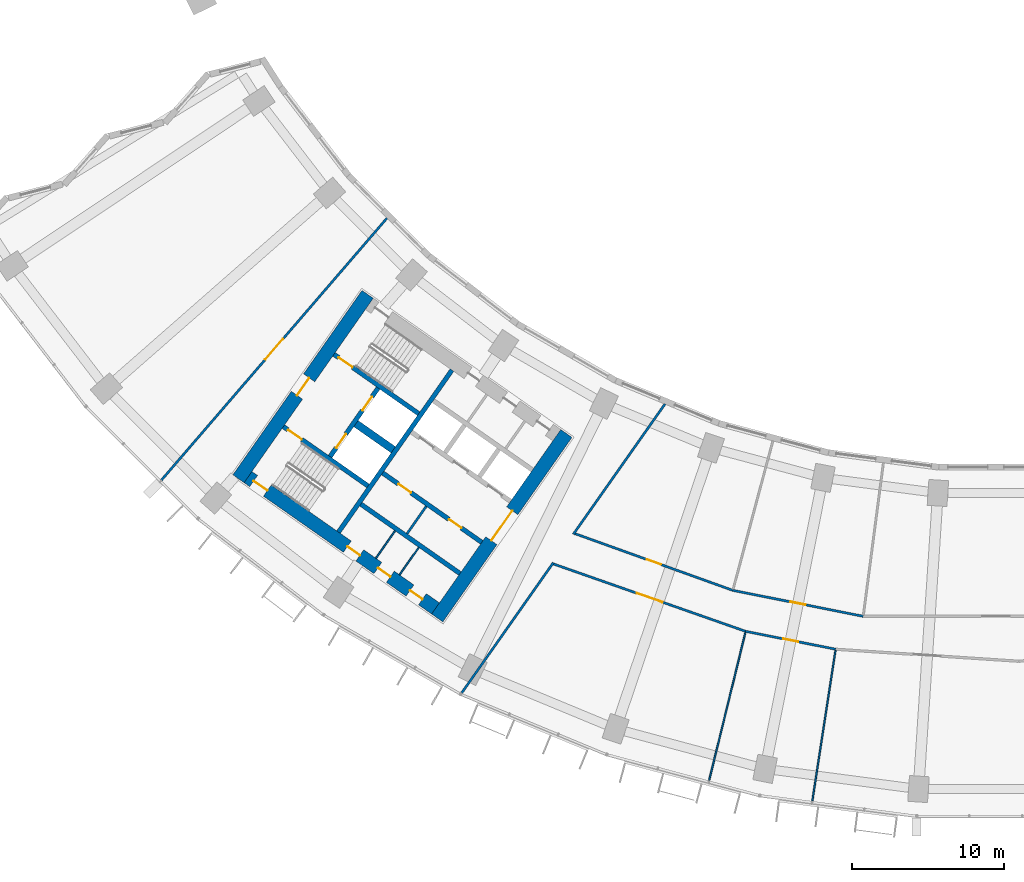
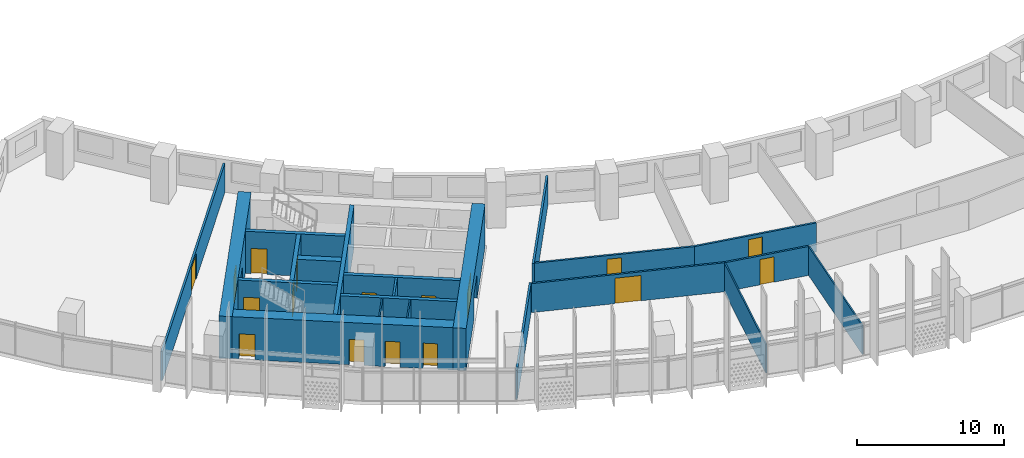
# One storey, part 3 of 32: 22 walls, 17 doors, 17 openings.
"""IFC4 building model written with IfcOpenShell, lengths in metres."""

from ifc_helpers import new_model, si_unit, direction, frame, frame_2d, origin, place, context, subcontext, project, spatial, rectangle, extrude, material, layer, layer_set, type_object, element, fill, save


model = new_model("IFC4")

# Units and contexts
model_context = context("Model", 3, precision=1e-05, world=origin(), true_north=direction((0.0, 1.0)))
body_context = subcontext(model_context, "Body", "Model", "MODEL_VIEW")
ifc_project = project(units=[si_unit("LENGTHUNIT", "METRE"), si_unit("AREAUNIT", "SQUARE_METRE"), si_unit("VOLUMEUNIT", "CUBIC_METRE"), si_unit("PLANEANGLEUNIT", "RADIAN"), si_unit("MASSUNIT", "GRAM", prefix="KILO")], contexts=[model_context])

# Site, building, storey
site_placement = place(None, origin())
site = spatial("IfcSite", under=ifc_project, at=site_placement, CompositionType="ELEMENT")
building_placement = place(site_placement, origin())
building = spatial("IfcBuilding", under=site, at=building_placement, Name="Qamariyya Broadcast Tower", CompositionType="ELEMENT")
storey_placement = place(building_placement, frame((0.0, 0.0, 70.89990234375)))
storey = spatial("IfcBuildingStorey", under=building, at=storey_placement, Name="L14", CompositionType="ELEMENT", Elevation=70.89990234375)

# Wall, opening, door
ifc_material_1 = material(Name="Concrete C70/85", Category="concrete")
ifc_layer_1 = layer(ifc_material_1, 0.89990234375)
ifc_layer_set_1 = layer_set([ifc_layer_1], Name="Core wall 900 mm Concrete C70/85")
wall_type_1 = type_object("IfcWallType", Name="Core wall 900 mm Concrete C70/85", PredefinedType="SHEAR", material=ifc_layer_set_1)
wall_1_placement = place(storey_placement, frame((-36.716796875, -66.3369140625, 0.0), z_axis=(0.0, 0.0, 1.0), x_axis=(0.573577477574, 0.819151315216, 0.0)))
wall_1 = element("IfcWall", 1, at=wall_1_placement, inside=storey, type_object=wall_type_1, Name="k-W-L14-WA", PredefinedType="SHEAR", context=body_context, shape_type="SweptSolid", body=[
    extrude(rectangle(XDim=14.800048828125, YDim=0.89990234375, at=frame_2d((7.39990234375, 0.0))), origin(), (0.0, 0.0, 1.0), 3.5),
])
opening_1_placement = place(wall_1_placement, frame((6.199951171875, 0.0, 0.0)))
opening_1 = element("IfcOpeningElement", 2, at=opening_1_placement, cuts=wall_1, Name="Opening KD3-W1", PredefinedType="OPENING", context=body_context, shape_type="SweptSolid", body=[
    extrude(rectangle(XDim=2.39990234375, YDim=2.10009765625, at=frame_2d((1.199951171875, 1.050048828125))), frame((0.0, 0.4599609375, 0.0), z_axis=(0.0, -1.0, 0.0), x_axis=(1.0, 0.0, 0.0)), (0.0, 0.0, 1.0), 0.919921875),
])
ifc_material_2 = material(Name="Steel fire-resisting door leaf", Category="steel")
door_type_1 = type_object("IfcDoorType", Name="Lift lobby door KD3", OperationType="DOUBLE_DOOR_SINGLE_SWING", PredefinedType="DOOR", material=ifc_material_2)
door_1_placement = place(opening_1_placement, origin())
door_1 = element("IfcDoor", 3, at=door_1_placement, inside=storey, type_object=door_type_1, Name="k-W-L14-WA-D1", OperationType="DOUBLE_DOOR_SINGLE_SWING", OverallHeight=2.10009765625, OverallWidth=2.39990234375, PredefinedType="DOOR", context=body_context, shape_type="SweptSolid", body=[
    extrude(rectangle(XDim=2.39990234375, YDim=2.10009765625, at=frame_2d((1.199951171875, 1.050048828125))), frame((0.0, 0.02490234375, 0.0), z_axis=(0.0, -1.0, 0.0), x_axis=(1.0, 0.0, 0.0)), (0.0, 0.0, 1.0), 0.050048828125),
])
fill(opening_1, door_1)

wall_2_placement = place(storey_placement, frame((-49.778564453125, -57.191162109375, 0.0), z_axis=(0.0, 0.0, 1.0), x_axis=(0.573577477574, 0.819151315216, 0.0)))
wall_2 = element("IfcWall", 4, at=wall_2_placement, inside=storey, type_object=wall_type_1, Name="k-W-L14-WH", PredefinedType="SHEAR", context=body_context, shape_type="SweptSolid", body=[
    extrude(rectangle(XDim=14.800048828125, YDim=0.89990234375, at=frame_2d((7.39990234375, 0.0))), origin(), (0.0, 0.0, 1.0), 3.5),
])
opening_2_placement = place(wall_2_placement, frame((6.699951171875, 0.0, 0.0)))
opening_2 = element("IfcOpeningElement", 5, at=opening_2_placement, cuts=wall_2, Name="Opening KD2-W1", PredefinedType="OPENING", context=body_context, shape_type="SweptSolid", body=[
    extrude(rectangle(XDim=1.39990234375, YDim=2.10009765625, at=frame_2d((0.699951171875, 1.050048828125))), frame((0.0, 0.4599609375, 0.0), z_axis=(0.0, -1.0, 0.0), x_axis=(1.0, 0.0, 0.0)), (0.0, 0.0, 1.0), 0.919921875),
])
door_type_2 = type_object("IfcDoorType", Name="Fire-fighting lobby door KD2", OperationType="DOUBLE_DOOR_SINGLE_SWING", PredefinedType="DOOR", material=ifc_material_2)
door_2_placement = place(opening_2_placement, origin())
door_2 = element("IfcDoor", 6, at=door_2_placement, inside=storey, type_object=door_type_2, Name="k-W-L14-WH-D15", OperationType="DOUBLE_DOOR_SINGLE_SWING", OverallHeight=2.10009765625, OverallWidth=1.39990234375, PredefinedType="DOOR", context=body_context, shape_type="SweptSolid", body=[
    extrude(rectangle(XDim=1.39990234375, YDim=2.10009765625, at=frame_2d((0.699951171875, 1.050048828125))), frame((0.0, 0.02490234375, 0.0), z_axis=(0.0, -1.0, 0.0), x_axis=(1.0, 0.0, 0.0)), (0.0, 0.0, 1.0), 0.050048828125),
])
fill(opening_2, door_2)

# Wall, openings, doors
wall_3_placement = place(storey_placement, frame((-36.827392578125, -65.710205078125, 0.0), z_axis=(0.0, 0.0, 1.0), x_axis=(-0.819153391756, 0.573574511963, 0.0)))
wall_3 = element("IfcWall", 7, at=wall_3_placement, inside=storey, type_object=wall_type_1, Name="k-W-L14-WO", PredefinedType="SHEAR", context=body_context, shape_type="SweptSolid", body=[
    extrude(rectangle(XDim=15.04541015625, YDim=0.89990234375, at=frame_2d((7.522705078125, 0.0))), origin(), (0.0, 0.0, 1.0), 3.5),
])
opening_3_placement = place(wall_3_placement, frame((1.050048828125, 0.0, 0.0)))
opening_3 = element("IfcOpeningElement", 8, at=opening_3_placement, cuts=wall_3, Name="Opening KD4-W2", PredefinedType="OPENING", context=body_context, shape_type="SweptSolid", body=[
    extrude(rectangle(XDim=1.0, YDim=2.10009765625, at=frame_2d((0.5, 1.050048828125))), frame((0.0, 0.4599609375, 0.0), z_axis=(0.0, -1.0, 0.0), x_axis=(1.0, 0.0, 0.0)), (0.0, 0.0, 1.0), 0.919921875),
])
opening_4_placement = place(wall_3_placement, frame((3.625, 0.0, 0.0)))
opening_4 = element("IfcOpeningElement", 9, at=opening_4_placement, cuts=wall_3, Name="Opening KD4-W3", PredefinedType="OPENING", context=body_context, shape_type="SweptSolid", body=[
    extrude(rectangle(XDim=1.0, YDim=2.10009765625, at=frame_2d((0.5, 1.050048828125))), frame((0.0, 0.4599609375, 0.0), z_axis=(0.0, -1.0, 0.0), x_axis=(1.0, 0.0, 0.0)), (0.0, 0.0, 1.0), 0.919921875),
])
opening_5_placement = place(wall_3_placement, frame((6.074951171875, 0.0, 0.0)))
opening_5 = element("IfcOpeningElement", 10, at=opening_5_placement, cuts=wall_3, Name="Opening KD6-W3", PredefinedType="OPENING", context=body_context, shape_type="SweptSolid", body=[
    extrude(rectangle(XDim=1.0, YDim=2.10009765625, at=frame_2d((0.5, 1.050048828125))), frame((0.0, 0.4599609375, 0.0), z_axis=(0.0, -1.0, 0.0), x_axis=(1.0, 0.0, 0.0)), (0.0, 0.0, 1.0), 0.919921875),
])
opening_6_placement = place(wall_3_placement, frame((13.495361328125, 0.0, 0.0)))
opening_6 = element("IfcOpeningElement", 11, at=opening_6_placement, cuts=wall_3, Name="Opening KD1-W3", PredefinedType="OPENING", context=body_context, shape_type="SweptSolid", body=[
    extrude(rectangle(XDim=1.10009765625, YDim=2.10009765625, at=frame_2d((0.550048828125, 1.050048828125))), frame((0.0, 0.4599609375, 0.0), z_axis=(0.0, -1.0, 0.0), x_axis=(1.0, 0.0, 0.0)), (0.0, 0.0, 1.0), 0.919921875),
])
door_type_3 = type_object("IfcDoorType", Name="Core room door KD6", OperationType="SINGLE_SWING_LEFT", PredefinedType="DOOR", material=ifc_material_2)
door_3_placement = place(opening_5_placement, origin())
door_3 = element("IfcDoor", 12, at=door_3_placement, inside=storey, type_object=door_type_3, Name="k-W-L14-WO-D12", OperationType="SINGLE_SWING_LEFT", OverallHeight=2.10009765625, OverallWidth=1.0, PredefinedType="DOOR", context=body_context, shape_type="SweptSolid", body=[
    extrude(rectangle(XDim=1.0, YDim=2.10009765625, at=frame_2d((0.5, 1.050048828125))), frame((0.0, 0.02490234375, 0.0), z_axis=(0.0, -1.0, 0.0), x_axis=(1.0, 0.0, 0.0)), (0.0, 0.0, 1.0), 0.050048828125),
])
fill(opening_5, door_3)
door_type_4 = type_object("IfcDoorType", Name="Riser and plant door KD4", OperationType="SINGLE_SWING_LEFT", PredefinedType="DOOR", material=ifc_material_2)
door_4_placement = place(opening_3_placement, origin())
door_4 = element("IfcDoor", 13, at=door_4_placement, inside=storey, type_object=door_type_4, Name="k-W-L14-WO-D10", OperationType="SINGLE_SWING_LEFT", OverallHeight=2.10009765625, OverallWidth=1.0, PredefinedType="DOOR", context=body_context, shape_type="SweptSolid", body=[
    extrude(rectangle(XDim=1.0, YDim=2.10009765625, at=frame_2d((0.5, 1.050048828125))), frame((0.0, 0.02490234375, 0.0), z_axis=(0.0, -1.0, 0.0), x_axis=(1.0, 0.0, 0.0)), (0.0, 0.0, 1.0), 0.050048828125),
])
fill(opening_3, door_4)
door_5_placement = place(opening_4_placement, origin())
door_5 = element("IfcDoor", 14, at=door_5_placement, inside=storey, type_object=door_type_4, Name="k-W-L14-WO-D11", OperationType="SINGLE_SWING_RIGHT", OverallHeight=2.10009765625, OverallWidth=1.0, PredefinedType="DOOR", context=body_context, shape_type="SweptSolid", body=[
    extrude(rectangle(XDim=1.0, YDim=2.10009765625, at=frame_2d((0.5, 1.050048828125))), frame((0.0, 0.02490234375, 0.0), z_axis=(0.0, -1.0, 0.0), x_axis=(1.0, 0.0, 0.0)), (0.0, 0.0, 1.0), 0.050048828125),
])
fill(opening_4, door_5)
door_type_5 = type_object("IfcDoorType", Name="Stair door KD1", OperationType="SINGLE_SWING_LEFT", PredefinedType="DOOR", material=ifc_material_2)
door_6_placement = place(opening_6_placement, origin())
door_6 = element("IfcDoor", 15, at=door_6_placement, inside=storey, type_object=door_type_5, Name="k-W-L14-WO-D18", OperationType="SINGLE_SWING_LEFT", OverallHeight=2.10009765625, OverallWidth=1.10009765625, PredefinedType="DOOR", context=body_context, shape_type="SweptSolid", body=[
    extrude(rectangle(XDim=1.10009765625, YDim=2.10009765625, at=frame_2d((0.550048828125, 1.050048828125))), frame((0.0, 0.02490234375, 0.0), z_axis=(0.0, -1.0, 0.0), x_axis=(1.0, 0.0, 0.0)), (0.0, 0.0, 1.0), 0.050048828125),
])
fill(opening_6, door_6)

# Wall, opening, door
ifc_material_3 = material(Name="Gypsum board partition")
ifc_layer_2 = layer(ifc_material_3, 0.14990234375)
ifc_layer_set_2 = layer_set([ifc_layer_2], Name="Corridor partition 150 EI 60")
wall_type_2 = type_object("IfcWallType", Name="Corridor partition 150 EI 60", PredefinedType="PARTITIONING", material=ifc_layer_set_2)
wall_4_placement = place(storey_placement, frame((-54.842041015625, -57.27685546875, 0.0), z_axis=(0.0, 0.0, 1.0), x_axis=(0.652471531746, 0.757813235739, 0.0)))
wall_4 = element("IfcWall", 16, at=wall_4_placement, inside=storey, type_object=wall_type_2, Name="Partition L14-001", PredefinedType="PARTITIONING", context=body_context, shape_type="SweptSolid", body=[
    extrude(rectangle(XDim=22.71484375, YDim=0.14990234375, at=frame_2d((11.357421875, 0.0))), origin(), (0.0, 0.0, 1.0), 2.400146484375),
])
opening_7_placement = place(wall_4_placement, frame((10.45751953125, 0.0, 0.0)))
opening_7 = element("IfcOpeningElement", 17, at=opening_7_placement, cuts=wall_4, Name="Opening L14-D12", PredefinedType="OPENING", context=body_context, shape_type="SweptSolid", body=[
    extrude(rectangle(XDim=1.800048828125, YDim=2.10009765625, at=frame_2d((0.89990234375, 1.050048828125))), frame((0.0, 0.0849609375, 0.0), z_axis=(0.0, -1.0, 0.0), x_axis=(1.0, 0.0, 0.0)), (0.0, 0.0, 1.0), 0.169921875),
])
ifc_material_4 = material(Name="Timber fire door leaf", Category="wood")
door_type_6 = type_object("IfcDoorType", Name="Double fire door 1800 x 2100 FD60", OperationType="NOTDEFINED", PredefinedType="DOOR", material=ifc_material_4)
door_7_placement = place(opening_7_placement, origin())
door_7 = element("IfcDoor", 18, at=door_7_placement, inside=storey, type_object=door_type_6, Name="Door L14-D12", OperationType="DOUBLE_DOOR_SINGLE_SWING", OverallHeight=2.10009765625, OverallWidth=1.800048828125, PredefinedType="DOOR", context=body_context, shape_type="SweptSolid", body=[
    extrude(rectangle(XDim=1.800048828125, YDim=2.10009765625, at=frame_2d((0.89990234375, 1.050048828125))), frame((0.0, 0.02490234375, 0.0), z_axis=(0.0, -1.0, 0.0), x_axis=(1.0, 0.0, 0.0)), (0.0, 0.0, 1.0), 0.050048828125),
])
fill(opening_7, door_7)

# Wall
wall_5_placement = place(storey_placement, frame((-29.087890625, -62.708251953125, 0.0), z_axis=(0.0, 0.0, 1.0), x_axis=(-0.575411972256, -0.817863718589, 0.0)))
element("IfcWall", 19, at=wall_5_placement, inside=storey, type_object=wall_type_2, Name="Partition L14-002", PredefinedType="PARTITIONING", context=body_context, shape_type="SweptSolid", body=[
    extrude(rectangle(XDim=10.471435546875, YDim=0.14990234375, at=frame_2d((5.23583984375, 0.0))), origin(), (0.0, 0.0, 1.0), 2.400146484375),
])

# Wall, opening, door
wall_6_placement = place(storey_placement, frame((-16.446044921875, -67.21728515625, 0.0), z_axis=(0.0, 0.0, 1.0), x_axis=(-0.943674836728, 0.330874300189, 0.0)))
wall_6 = element("IfcWall", 20, at=wall_6_placement, inside=storey, type_object=wall_type_2, Name="Partition L14-003", PredefinedType="PARTITIONING", context=body_context, shape_type="SweptSolid", body=[
    extrude(rectangle(XDim=13.3671875, YDim=0.14990234375, at=frame_2d((6.68359375, 0.0))), origin(), (0.0, 0.0, 1.0), 2.400146484375),
])
opening_8_placement = place(wall_6_placement, frame((5.783447265625, 0.0, 0.0)))
opening_8 = element("IfcOpeningElement", 21, at=opening_8_placement, cuts=wall_6, Name="Opening L14-D01", PredefinedType="OPENING", context=body_context, shape_type="SweptSolid", body=[
    extrude(rectangle(XDim=1.800048828125, YDim=2.10009765625, at=frame_2d((0.89990234375, 1.050048828125))), frame((0.0, 0.0849609375, 0.0), z_axis=(0.0, -1.0, 0.0), x_axis=(1.0, 0.0, 0.0)), (0.0, 0.0, 1.0), 0.169921875),
])
door_8_placement = place(opening_8_placement, origin())
door_8 = element("IfcDoor", 22, at=door_8_placement, inside=storey, type_object=door_type_6, Name="Door L14-D01", OperationType="DOUBLE_DOOR_SINGLE_SWING", OverallHeight=2.10009765625, OverallWidth=1.800048828125, PredefinedType="DOOR", context=body_context, shape_type="SweptSolid", body=[
    extrude(rectangle(XDim=1.800048828125, YDim=2.10009765625, at=frame_2d((0.89990234375, 1.050048828125))), frame((0.0, 0.02490234375, 0.0), z_axis=(0.0, -1.0, 0.0), x_axis=(1.0, 0.0, 0.0)), (0.0, 0.0, 1.0), 0.050048828125),
])
fill(opening_8, door_8)

wall_7_placement = place(storey_placement, frame((-27.65625, -60.79931640625, 0.0), z_axis=(0.0, 0.0, 1.0), x_axis=(0.941106453562, -0.338110400705, 0.0)))
wall_7 = element("IfcWall", 23, at=wall_7_placement, inside=storey, type_object=wall_type_2, Name="Partition L14-004", PredefinedType="PARTITIONING", context=body_context, shape_type="SweptSolid", body=[
    extrude(rectangle(XDim=11.015869140625, YDim=0.14990234375, at=frame_2d((5.5078125, 0.0))), origin(), (0.0, 0.0, 1.0), 2.400146484375),
])
opening_9_placement = place(wall_7_placement, frame((5.008056640625, 0.0, 0.0)))
opening_9 = element("IfcOpeningElement", 24, at=opening_9_placement, cuts=wall_7, Name="Opening L14-D07", PredefinedType="OPENING", context=body_context, shape_type="SweptSolid", body=[
    extrude(rectangle(XDim=1.0, YDim=2.10009765625, at=frame_2d((0.5, 1.050048828125))), frame((0.0, 0.0849609375, 0.0), z_axis=(0.0, -1.0, 0.0), x_axis=(1.0, 0.0, 0.0)), (0.0, 0.0, 1.0), 0.169921875),
])
door_type_7 = type_object("IfcDoorType", Name="Fire door 1000 x 2100 FD60", OperationType="NOTDEFINED", PredefinedType="DOOR", material=ifc_material_4)
door_9_placement = place(opening_9_placement, origin())
door_9 = element("IfcDoor", 25, at=door_9_placement, inside=storey, type_object=door_type_7, Name="Door L14-D07", OperationType="SINGLE_SWING_RIGHT", OverallHeight=2.10009765625, OverallWidth=1.0, PredefinedType="DOOR", context=body_context, shape_type="SweptSolid", body=[
    extrude(rectangle(XDim=1.0, YDim=2.10009765625, at=frame_2d((0.5, 1.050048828125))), frame((0.0, 0.02490234375, 0.0), z_axis=(0.0, -1.0, 0.0), x_axis=(1.0, 0.0, 0.0)), (0.0, 0.0, 1.0), 0.050048828125),
])
fill(opening_9, door_9)

# Wall
wall_8_placement = place(storey_placement, frame((-21.748291015625, -52.2763671875, 0.0), z_axis=(0.0, 0.0, 1.0), x_axis=(-0.575419434668, -0.817858468322, 0.0)))
element("IfcWall", 26, at=wall_8_placement, inside=storey, type_object=wall_type_2, Name="Partition L14-005", PredefinedType="PARTITIONING", context=body_context, shape_type="SweptSolid", body=[
    extrude(rectangle(XDim=10.46484375, YDim=0.14990234375, at=frame_2d((5.232421875, 0.0))), origin(), (0.0, 0.0, 1.0), 2.400146484375),
])

# Wall, opening, door
wall_9_placement = place(storey_placement, frame((-17.2890625, -64.52392578125, 0.0), z_axis=(0.0, 0.0, 1.0), x_axis=(0.980786466832, -0.195084357342, 0.0)))
wall_9 = element("IfcWall", 27, at=wall_9_placement, inside=storey, type_object=wall_type_2, Name="Partition L14-007", PredefinedType="PARTITIONING", context=body_context, shape_type="SweptSolid", body=[
    extrude(rectangle(XDim=8.73779296875, YDim=0.14990234375, at=frame_2d((4.368896484375, 0.0))), origin(), (0.0, 0.0, 1.0), 2.400146484375),
])
opening_10_placement = place(wall_9_placement, frame((3.868896484375, 0.0, 0.0)))
opening_10 = element("IfcOpeningElement", 28, at=opening_10_placement, cuts=wall_9, Name="Opening L14-D08", PredefinedType="OPENING", context=body_context, shape_type="SweptSolid", body=[
    extrude(rectangle(XDim=1.0, YDim=2.10009765625, at=frame_2d((0.5, 1.050048828125))), frame((0.0, 0.0849609375, 0.0), z_axis=(0.0, -1.0, 0.0), x_axis=(1.0, 0.0, 0.0)), (0.0, 0.0, 1.0), 0.169921875),
])
door_10_placement = place(opening_10_placement, origin())
door_10 = element("IfcDoor", 29, at=door_10_placement, inside=storey, type_object=door_type_7, Name="Door L14-D08", OperationType="SINGLE_SWING_RIGHT", OverallHeight=2.10009765625, OverallWidth=1.0, PredefinedType="DOOR", context=body_context, shape_type="SweptSolid", body=[
    extrude(rectangle(XDim=1.0, YDim=2.10009765625, at=frame_2d((0.5, 1.050048828125))), frame((0.0, 0.02490234375, 0.0), z_axis=(0.0, -1.0, 0.0), x_axis=(1.0, 0.0, 0.0)), (0.0, 0.0, 1.0), 0.050048828125),
])
fill(opening_10, door_10)

wall_10_placement = place(storey_placement, frame((-10.52880859375, -68.394287109375, 0.0), z_axis=(0.0, 0.0, 1.0), x_axis=(-0.980785582749, 0.195088802015, 0.0)))
wall_10 = element("IfcWall", 30, at=wall_10_placement, inside=storey, type_object=wall_type_2, Name="Partition L14-008", PredefinedType="PARTITIONING", context=body_context, shape_type="SweptSolid", body=[
    extrude(rectangle(XDim=6.033203125, YDim=0.14990234375, at=frame_2d((3.0166015625, 0.0))), origin(), (0.0, 0.0, 1.0), 2.400146484375),
])
opening_11_placement = place(wall_10_placement, frame((2.5166015625, 0.0, 0.0)))
opening_11 = element("IfcOpeningElement", 31, at=opening_11_placement, cuts=wall_10, Name="Opening L14-D02", PredefinedType="OPENING", context=body_context, shape_type="SweptSolid", body=[
    extrude(rectangle(XDim=1.0, YDim=2.10009765625, at=frame_2d((0.5, 1.050048828125))), frame((0.0, 0.0849609375, 0.0), z_axis=(0.0, -1.0, 0.0), x_axis=(1.0, 0.0, 0.0)), (0.0, 0.0, 1.0), 0.169921875),
])
door_11_placement = place(opening_11_placement, origin())
door_11 = element("IfcDoor", 32, at=door_11_placement, inside=storey, type_object=door_type_7, Name="Door L14-D02", OperationType="SINGLE_SWING_RIGHT", OverallHeight=2.10009765625, OverallWidth=1.0, PredefinedType="DOOR", context=body_context, shape_type="SweptSolid", body=[
    extrude(rectangle(XDim=1.0, YDim=2.10009765625, at=frame_2d((0.5, 1.050048828125))), frame((0.0, 0.02490234375, 0.0), z_axis=(0.0, -1.0, 0.0), x_axis=(1.0, 0.0, 0.0)), (0.0, 0.0, 1.0), 0.050048828125),
])
fill(opening_11, door_11)

# Walls
ifc_material_5 = material(Name="Concrete C60/75", Category="concrete")
ifc_layer_3 = layer(ifc_material_5, 0.5)
ifc_layer_set_3 = layer_set([ifc_layer_3], Name="Fire-fighting lobby divider wall 500 mm Concrete C60/75")
wall_type_3 = type_object("IfcWallType", Name="Fire-fighting lobby divider wall 500 mm Concrete C60/75", PredefinedType="SOLIDWALL", material=ifc_layer_set_3)
wall_11_placement = place(storey_placement, frame((-39.59912109375, -55.28515625, 0.0), z_axis=(0.0, 0.0, 1.0), x_axis=(-0.819136323161, 0.573598887793, 0.0)))
element("IfcWall", 33, at=wall_11_placement, inside=storey, type_object=wall_type_3, Name="k-W-L14-FD", PredefinedType="SOLIDWALL", context=body_context, shape_type="SweptSolid", body=[
    extrude(rectangle(XDim=2.999755859375, YDim=0.5, at=frame_2d((1.5, 0.0))), origin(), (0.0, 0.0, 1.0), 3.5),
])
ifc_material_6 = material(Name="Gypsum board partition on steel studs", Category="steel")
ifc_layer_4 = layer(ifc_material_6, 0.14990234375)
ifc_layer_set_4 = layer_set([ifc_layer_4], Name="Gypsum board partition 150 mm")
wall_type_4 = type_object("IfcWallType", Name="Gypsum board partition 150 mm", PredefinedType="PARTITIONING", material=ifc_layer_set_4)
wall_12_placement = place(storey_placement, frame((-37.436767578125, -58.99658203125, 0.0), z_axis=(0.0, 0.0, 1.0), x_axis=(-0.573559170999, -0.819164133348, 0.0)))
element("IfcWall", 34, at=wall_12_placement, inside=storey, type_object=wall_type_4, Name="k-W-L14-SC435", PredefinedType="PARTITIONING", context=body_context, shape_type="SweptSolid", body=[
    extrude(rectangle(XDim=2.19970703125, YDim=0.14990234375, at=frame_2d((1.099853515625, 0.0))), origin(), (0.0, 0.0, 1.0), 3.5),
])
ifc_layer_5 = layer(ifc_material_5, 0.300048828125)
ifc_layer_set_5 = layer_set([ifc_layer_5], Name="Lift shaft wall 300 mm Concrete C60/75")
wall_type_5 = type_object("IfcWallType", Name="Lift shaft wall 300 mm Concrete C60/75", PredefinedType="SOLIDWALL", material=ifc_layer_set_5)
wall_13_placement = place(storey_placement, frame((-43.204345703125, -60.69580078125, 0.0), z_axis=(0.0, 0.0, 1.0), x_axis=(0.573571992966, 0.819155155563, 0.0)))
element("IfcWall", 35, at=wall_13_placement, inside=storey, type_object=wall_type_5, Name="k-W-L14-WL", PredefinedType="SOLIDWALL", context=body_context, shape_type="SweptSolid", body=[
    extrude(rectangle(XDim=13.000244140625, YDim=0.300048828125, at=frame_2d((6.5, 0.0))), origin(), (0.0, 0.0, 1.0), 3.5),
])

# Wall, openings, doors
wall_14_placement = place(storey_placement, frame((-33.787353515625, -61.368896484375, 0.0), z_axis=(0.0, 0.0, 1.0), x_axis=(-0.819152564888, 0.573575692858, 0.0)))
wall_14 = element("IfcWall", 36, at=wall_14_placement, inside=storey, type_object=wall_type_5, Name="k-W-L14-SF0", PredefinedType="SOLIDWALL", context=body_context, shape_type="SweptSolid", body=[
    extrude(rectangle(XDim=7.9501953125, YDim=0.300048828125, at=frame_2d((3.97509765625, 0.0))), origin(), (0.0, 0.0, 1.0), 3.5),
])
opening_12_placement = place(wall_14_placement, frame((1.637451171875, 0.0, 0.0)))
opening_12 = element("IfcOpeningElement", 37, at=opening_12_placement, cuts=wall_14, Name="Opening KD4-W1", PredefinedType="OPENING", context=body_context, shape_type="SweptSolid", body=[
    extrude(rectangle(XDim=1.0, YDim=2.10009765625, at=frame_2d((0.5, 1.050048828125))), frame((0.0, 0.159912109375, 0.0), z_axis=(0.0, -1.0, 0.0), x_axis=(1.0, 0.0, 0.0)), (0.0, 0.0, 1.0), 0.320068359375),
])
opening_13_placement = place(wall_14_placement, frame((5.6875, 0.0, 0.0)))
opening_13 = element("IfcOpeningElement", 38, at=opening_13_placement, cuts=wall_14, Name="Opening KD6-W1", PredefinedType="OPENING", context=body_context, shape_type="SweptSolid", body=[
    extrude(rectangle(XDim=1.0, YDim=2.10009765625, at=frame_2d((0.5, 1.050048828125))), frame((0.0, 0.159912109375, 0.0), z_axis=(0.0, -1.0, 0.0), x_axis=(1.0, 0.0, 0.0)), (0.0, 0.0, 1.0), 0.320068359375),
])
door_12_placement = place(opening_13_placement, origin())
door_12 = element("IfcDoor", 39, at=door_12_placement, inside=storey, type_object=door_type_3, Name="k-W-L14-SF0-D6", OperationType="SINGLE_SWING_LEFT", OverallHeight=2.10009765625, OverallWidth=1.0, PredefinedType="DOOR", context=body_context, shape_type="SweptSolid", body=[
    extrude(rectangle(XDim=1.0, YDim=2.10009765625, at=frame_2d((0.5, 1.050048828125))), frame((0.0, 0.02490234375, 0.0), z_axis=(0.0, -1.0, 0.0), x_axis=(1.0, 0.0, 0.0)), (0.0, 0.0, 1.0), 0.050048828125),
])
fill(opening_13, door_12)
door_13_placement = place(opening_12_placement, origin())
door_13 = element("IfcDoor", 40, at=door_13_placement, inside=storey, type_object=door_type_4, Name="k-W-L14-SF0-D5", OperationType="SINGLE_SWING_RIGHT", OverallHeight=2.10009765625, OverallWidth=1.0, PredefinedType="DOOR", context=body_context, shape_type="SweptSolid", body=[
    extrude(rectangle(XDim=1.0, YDim=2.10009765625, at=frame_2d((0.5, 1.050048828125))), frame((0.0, 0.02490234375, 0.0), z_axis=(0.0, -1.0, 0.0), x_axis=(1.0, 0.0, 0.0)), (0.0, 0.0, 1.0), 0.050048828125),
])
fill(opening_12, door_13)

# Wall
wall_15_placement = place(storey_placement, frame((-35.22119140625, -63.41650390625, 0.0), z_axis=(0.0, 0.0, 1.0), x_axis=(-0.819166993208, 0.573555086491, 0.0)))
element("IfcWall", 41, at=wall_15_placement, inside=storey, type_object=wall_type_5, Name="k-W-L14-SB0", PredefinedType="SOLIDWALL", context=body_context, shape_type="SweptSolid", body=[
    extrude(rectangle(XDim=7.9501953125, YDim=0.300048828125, at=frame_2d((3.97509765625, 0.0))), origin(), (0.0, 0.0, 1.0), 3.5),
])

# Wall, opening, door
wall_16_placement = place(storey_placement, frame((-37.935546875, -52.90966796875, 0.0), z_axis=(0.0, 0.0, 1.0), x_axis=(-0.819147518138, 0.57358290031, 0.0)))
wall_16 = element("IfcWall", 42, at=wall_16_placement, inside=storey, type_object=wall_type_5, Name="k-W-L14-NW", PredefinedType="SOLIDWALL", context=body_context, shape_type="SweptSolid", body=[
    extrude(rectangle(XDim=6.79541015625, YDim=0.300048828125, at=frame_2d((3.397705078125, 0.0))), origin(), (0.0, 0.0, 1.0), 3.5),
])
opening_14_placement = place(wall_16_placement, frame((5.3203125, 0.0, 0.0)))
opening_14 = element("IfcOpeningElement", 43, at=opening_14_placement, cuts=wall_16, Name="Opening KD1-W2", PredefinedType="OPENING", context=body_context, shape_type="SweptSolid", body=[
    extrude(rectangle(XDim=1.10009765625, YDim=2.10009765625, at=frame_2d((0.550048828125, 1.050048828125))), frame((0.0, 0.159912109375, 0.0), z_axis=(0.0, -1.0, 0.0), x_axis=(1.0, 0.0, 0.0)), (0.0, 0.0, 1.0), 0.320068359375),
])
door_14_placement = place(opening_14_placement, origin())
door_14 = element("IfcDoor", 44, at=door_14_placement, inside=storey, type_object=door_type_5, Name="k-W-L14-NW-D17", OperationType="SINGLE_SWING_RIGHT", OverallHeight=2.10009765625, OverallWidth=1.10009765625, PredefinedType="DOOR", context=body_context, shape_type="SweptSolid", body=[
    extrude(rectangle(XDim=1.10009765625, YDim=2.10009765625, at=frame_2d((0.550048828125, 1.050048828125))), frame((0.0, 0.02490234375, 0.0), z_axis=(0.0, -1.0, 0.0), x_axis=(1.0, 0.0, 0.0)), (0.0, 0.0, 1.0), 0.050048828125),
])
fill(opening_14, door_14)

wall_17_placement = place(storey_placement, frame((-41.262451171875, -57.66064453125, 0.0), z_axis=(0.0, 0.0, 1.0), x_axis=(-0.819164398642, 0.573558792102, 0.0)))
wall_17 = element("IfcWall", 45, at=wall_17_placement, inside=storey, type_object=wall_type_5, Name="k-W-L14-SW", PredefinedType="SOLIDWALL", context=body_context, shape_type="SweptSolid", body=[
    extrude(rectangle(XDim=6.795166015625, YDim=0.300048828125, at=frame_2d((3.3974609375, 0.0))), origin(), (0.0, 0.0, 1.0), 3.5),
])
opening_15_placement = place(wall_17_placement, frame((5.3203125, 0.0, 0.0)))
opening_15 = element("IfcOpeningElement", 46, at=opening_15_placement, cuts=wall_17, Name="Opening KD1-W4", PredefinedType="OPENING", context=body_context, shape_type="SweptSolid", body=[
    extrude(rectangle(XDim=1.10009765625, YDim=2.10009765625, at=frame_2d((0.550048828125, 1.050048828125))), frame((0.0, 0.159912109375, 0.0), z_axis=(0.0, -1.0, 0.0), x_axis=(1.0, 0.0, 0.0)), (0.0, 0.0, 1.0), 0.320068359375),
])
door_15_placement = place(opening_15_placement, origin())
door_15 = element("IfcDoor", 47, at=door_15_placement, inside=storey, type_object=door_type_5, Name="k-W-L14-SW-D19", OperationType="SINGLE_SWING_RIGHT", OverallHeight=2.10009765625, OverallWidth=1.10009765625, PredefinedType="DOOR", context=body_context, shape_type="SweptSolid", body=[
    extrude(rectangle(XDim=1.10009765625, YDim=2.10009765625, at=frame_2d((0.550048828125, 1.050048828125))), frame((0.0, 0.02490234375, 0.0), z_axis=(0.0, -1.0, 0.0), x_axis=(1.0, 0.0, 0.0)), (0.0, 0.0, 1.0), 0.050048828125),
])
fill(opening_15, door_15)

# Wall, openings, doors
wall_18_placement = place(storey_placement, frame((-43.756591796875, -55.731201171875, 0.0), z_axis=(0.0, 0.0, 1.0), x_axis=(0.573536818435, 0.819179783625, 0.0)))
wall_18 = element("IfcWall", 48, at=wall_18_placement, inside=storey, type_object=wall_type_5, Name="k-W-L14-FF", PredefinedType="SOLIDWALL", context=body_context, shape_type="SweptSolid", body=[
    extrude(rectangle(XDim=5.500244140625, YDim=0.300048828125, at=frame_2d((2.75, 0.0))), origin(), (0.0, 0.0, 1.0), 3.5),
])
opening_16_placement = place(wall_18_placement, frame((0.699951171875, 0.0, 0.0)))
opening_16 = element("IfcOpeningElement", 49, at=opening_16_placement, cuts=wall_18, Name="Opening LD", PredefinedType="OPENING", context=body_context, shape_type="SweptSolid", body=[
    extrude(rectangle(XDim=1.10009765625, YDim=2.10009765625, at=frame_2d((0.550048828125, 1.050048828125))), frame((0.0, 0.159912109375, 0.0), z_axis=(0.0, -1.0, 0.0), x_axis=(1.0, 0.0, 0.0)), (0.0, 0.0, 1.0), 0.320068359375),
])
opening_17_placement = place(wall_18_placement, frame((3.699951171875, 0.0, 0.0)))
opening_17 = element("IfcOpeningElement", 50, at=opening_17_placement, cuts=wall_18, Name="Opening LD", PredefinedType="OPENING", context=body_context, shape_type="SweptSolid", body=[
    extrude(rectangle(XDim=1.10009765625, YDim=2.10009765625, at=frame_2d((0.550048828125, 1.050048828125))), frame((0.0, 0.159912109375, 0.0), z_axis=(0.0, -1.0, 0.0), x_axis=(1.0, 0.0, 0.0)), (0.0, 0.0, 1.0), 0.320068359375),
])
door_type_8 = type_object("IfcDoorType", Name="Lift landing door LD", OperationType="DOUBLE_DOOR_SLIDING", PredefinedType="DOOR", material=ifc_material_2)
door_16_placement = place(opening_16_placement, origin())
door_16 = element("IfcDoor", 51, at=door_16_placement, inside=storey, type_object=door_type_8, Name="k-W-L14-FF-D13", OperationType="DOUBLE_DOOR_SLIDING", OverallHeight=2.10009765625, OverallWidth=1.10009765625, PredefinedType="DOOR", context=body_context, shape_type="SweptSolid", body=[
    extrude(rectangle(XDim=1.10009765625, YDim=2.10009765625, at=frame_2d((0.550048828125, 1.050048828125))), frame((0.0, 0.02490234375, 0.0), z_axis=(0.0, -1.0, 0.0), x_axis=(1.0, 0.0, 0.0)), (0.0, 0.0, 1.0), 0.050048828125),
])
fill(opening_16, door_16)
door_17_placement = place(opening_17_placement, origin())
door_17 = element("IfcDoor", 52, at=door_17_placement, inside=storey, type_object=door_type_8, Name="k-W-L14-FF-D14", OperationType="DOUBLE_DOOR_SLIDING", OverallHeight=2.10009765625, OverallWidth=1.10009765625, PredefinedType="DOOR", context=body_context, shape_type="SweptSolid", body=[
    extrude(rectangle(XDim=1.10009765625, YDim=2.10009765625, at=frame_2d((0.550048828125, 1.050048828125))), frame((0.0, 0.02490234375, 0.0), z_axis=(0.0, -1.0, 0.0), x_axis=(1.0, 0.0, 0.0)), (0.0, 0.0, 1.0), 0.050048828125),
])
fill(opening_17, door_17)

# Walls
ifc_layer_6 = layer(ifc_material_3, 0.10009765625)
ifc_layer_set_6 = layer_set([ifc_layer_6], Name="Partition 100")
wall_type_6 = type_object("IfcWallType", Name="Partition 100", PredefinedType="PARTITIONING", material=ifc_layer_set_6)
wall_19_placement = place(storey_placement, frame((-18.845947265625, -77.0263671875, 0.0), z_axis=(0.0, 0.0, 1.0), x_axis=(0.237655344985, 0.971349544191, 0.0)))
element("IfcWall", 53, at=wall_19_placement, inside=storey, type_object=wall_type_6, Name="Partition L14-006", PredefinedType="PARTITIONING", context=body_context, shape_type="SweptSolid", body=[
    extrude(rectangle(XDim=10.023193359375, YDim=0.10009765625, at=frame_2d((5.01171875, 0.0))), origin(), (0.0, 0.0, 1.0), 2.400146484375),
])
wall_20_placement = place(storey_placement, frame((-12.0654296875, -78.375244140625, 0.0), z_axis=(0.0, 0.0, 1.0), x_axis=(0.152157849461, 0.988356205448, 0.0)))
element("IfcWall", 54, at=wall_20_placement, inside=storey, type_object=wall_type_6, Name="Partition L14-010", PredefinedType="PARTITIONING", context=body_context, shape_type="SweptSolid", body=[
    extrude(rectangle(XDim=10.0234375, YDim=0.10009765625, at=frame_2d((5.01171875, 0.0))), origin(), (0.0, 0.0, 1.0), 2.400146484375),
])
ifc_material_7 = material(Name="Fire-rated gypsum shaft liner on steel studs", Category="steel")
ifc_layer_7 = layer(ifc_material_7, 0.10009765625)
ifc_layer_set_7 = layer_set([ifc_layer_7], Name="Riser wall 100 mm")
wall_type_7 = type_object("IfcWallType", Name="Riser wall 100 mm", PredefinedType="PLUMBINGWALL", material=ifc_layer_set_7)
wall_21_placement = place(storey_placement, frame((-37.9287109375, -61.7041015625, 0.0), z_axis=(0.0, 0.0, 1.0), x_axis=(-0.573559170999, -0.819164133348, 0.0)))
element("IfcWall", 55, at=wall_21_placement, inside=storey, type_object=wall_type_7, Name="k-W-L14-SP320", PredefinedType="PLUMBINGWALL", context=body_context, shape_type="SweptSolid", body=[
    extrude(rectangle(XDim=2.19970703125, YDim=0.10009765625, at=frame_2d((1.099853515625, 0.0))), origin(), (0.0, 0.0, 1.0), 3.5),
])
wall_22_placement = place(storey_placement, frame((-39.485107421875, -60.6142578125, 0.0), z_axis=(0.0, 0.0, 1.0), x_axis=(-0.573507030513, -0.819200638399, 0.0)))
element("IfcWall", 56, at=wall_22_placement, inside=storey, type_object=wall_type_7, Name="k-W-L14-SP510", PredefinedType="PLUMBINGWALL", context=body_context, shape_type="SweptSolid", body=[
    extrude(rectangle(XDim=2.199951171875, YDim=0.10009765625, at=frame_2d((1.10009765625, 0.0))), origin(), (0.0, 0.0, 1.0), 3.5),
])

save(model, "model.ifc")
